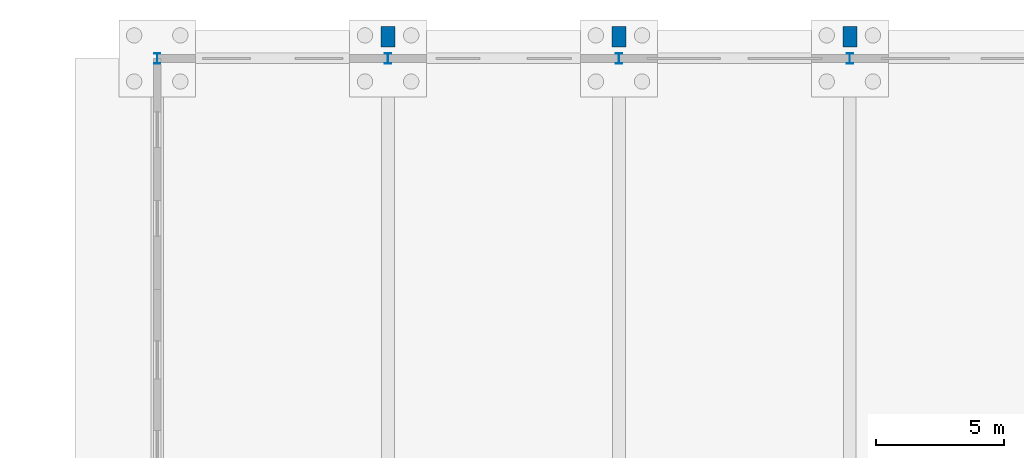
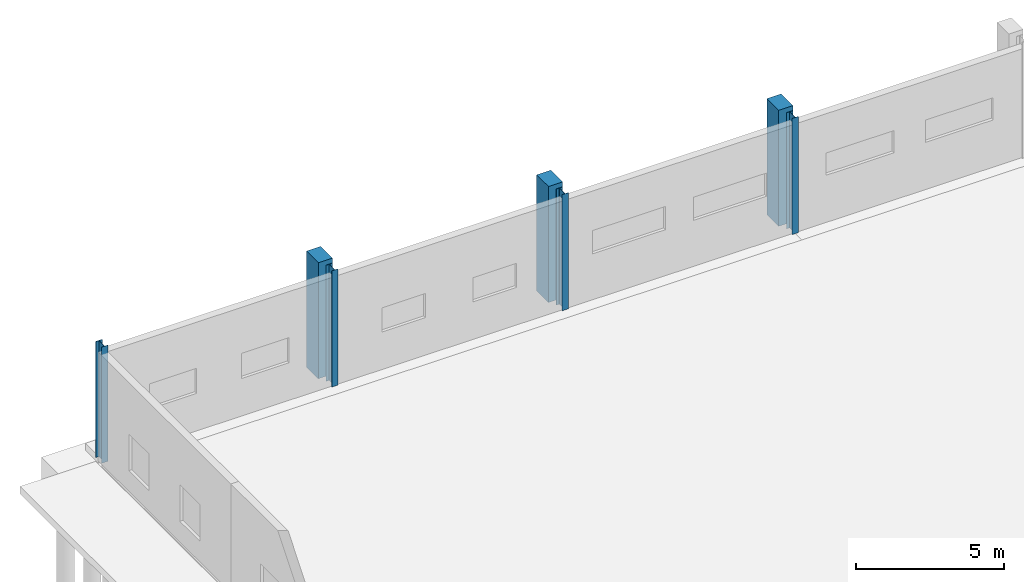
# One storey, part 45 of 112: 7 columns.
"""IFC4 building model written with IfcOpenShell, lengths in metres."""

from ifc_helpers import new_model, si_unit, direction, frame, origin, origin_2d, place, context, subcontext, project, spatial, rectangle, i_section, extrude, material, material_profile, profile_set, type_object, element, save


model = new_model("IFC4")

# Units and contexts
model_context = context("Model", 3, precision=1e-05, world=origin(), true_north=direction((0.0, 1.0)))
body_context = subcontext(model_context, "Body", "Model", "MODEL_VIEW")
ifc_project = project(units=[si_unit("LENGTHUNIT", "METRE"), si_unit("AREAUNIT", "SQUARE_METRE"), si_unit("VOLUMEUNIT", "CUBIC_METRE"), si_unit("PLANEANGLEUNIT", "RADIAN"), si_unit("MASSUNIT", "GRAM", prefix="KILO")], contexts=[model_context])

# Site, building, storey
site_placement = place(None, origin())
site = spatial("IfcSite", under=ifc_project, at=site_placement, CompositionType="ELEMENT")
building_placement = place(site_placement, origin())
building = spatial("IfcBuilding", under=site, at=building_placement, Name="Tharagai Park Tramway Depot", CompositionType="ELEMENT")
storey_placement = place(building_placement, origin())
storey = spatial("IfcBuildingStorey", under=building, at=storey_placement, Name="L00", CompositionType="ELEMENT", Elevation=0.0)

# Columns
ifc_material_1 = material(Name="Steel E350", Category="steel")
ifc_material_profile_1 = material_profile(ifc_material_1, i_section(OverallWidth=0.25, OverallDepth=0.39990234375, WebThickness=0.010498046875, FlangeThickness=0.0126953125, FilletRadius=0.013916015625, at=origin_2d()), Name="ISHB 400")
ifc_profile_set_1 = profile_set([ifc_material_profile_1], Name="Steel E350")
column_type_1 = type_object("IfcColumnType", Name="CL-06", PredefinedType="COLUMN", material=ifc_profile_set_1)
for number, where, z_axis, x_axis, name in (
    (1, (0.0, 144.0, 0.0), (0.0, 0.0, 1.0), (1.0, 0.0, 0.0), "L00 Structural Column CL-06 (0,144)"),
    (2, (9.0, 144.0, 0.0), (0.0, 0.0, 1.0), (1.0, 0.0, 0.0), "L00 Structural Column CL-06 (9,144)"),
    (3, (18.0, 144.0, 0.0), (0.0, 0.0, 1.0), (1.0, 0.0, 0.0), "L00 Structural Column CL-06 (18,144)"),
    (4, (27.0, 144.0, 0.0), (0.0, 0.0, 1.0), (1.0, 0.0, 0.0), "L00 Structural Column CL-06 (27,144)"),
):
    element("IfcColumn", number, at=place(storey_placement, frame(where, z_axis=z_axis, x_axis=x_axis)), inside=storey, type_object=column_type_1, Name=name, PredefinedType="COLUMN", context=body_context, shape_type="SweptSolid", body=[
        extrude(i_section(OverallWidth=0.25, OverallDepth=0.39990234375, WebThickness=0.010498046875, FlangeThickness=0.0126953125, FilletRadius=0.013916015625, at=origin_2d()), origin(), (0.0, 0.0, 1.0), 4.800048828125),
    ])
ifc_material_2 = material(Name="Concrete M40", Category="concrete")
ifc_material_profile_2 = material_profile(ifc_material_2, rectangle(XDim=0.550048828125, YDim=0.800048828125, at=origin_2d()), Name="RC 550x800")
ifc_profile_set_2 = profile_set([ifc_material_profile_2], Name="Concrete M40")
column_type_2 = type_object("IfcColumnType", Name="PL-02", PredefinedType="PILASTER", material=ifc_profile_set_2)
for number, where, z_axis, x_axis, name in (
    (5, (9.0, 144.85009765625, 0.0), (0.0, 0.0, 1.0), (1.0, 0.0, 0.0), "L00 Stepped Gothic Buttress PL-02 N-009"),
    (6, (18.0, 144.85009765625, 0.0), (0.0, 0.0, 1.0), (1.0, 0.0, 0.0), "L00 Stepped Gothic Buttress PL-02 N-018"),
    (7, (27.0, 144.85009765625, 0.0), (0.0, 0.0, 1.0), (1.0, 0.0, 0.0), "L00 Stepped Gothic Buttress PL-02 N-027"),
):
    element("IfcColumn", number, at=place(storey_placement, frame(where, z_axis=z_axis, x_axis=x_axis)), inside=storey, type_object=column_type_2, Name=name, PredefinedType="PILASTER", context=body_context, shape_type="SweptSolid", body=[
        extrude(rectangle(XDim=0.550048828125, YDim=0.800048828125, at=origin_2d()), origin(), (0.0, 0.0, 1.0), 4.800048828125),
    ])

save(model, "model.ifc")
